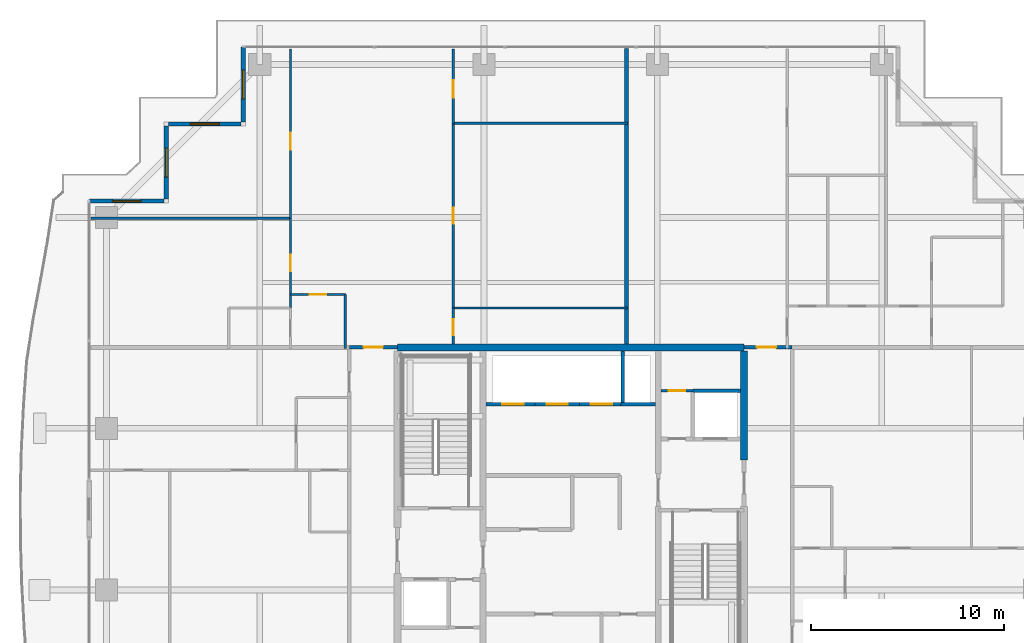
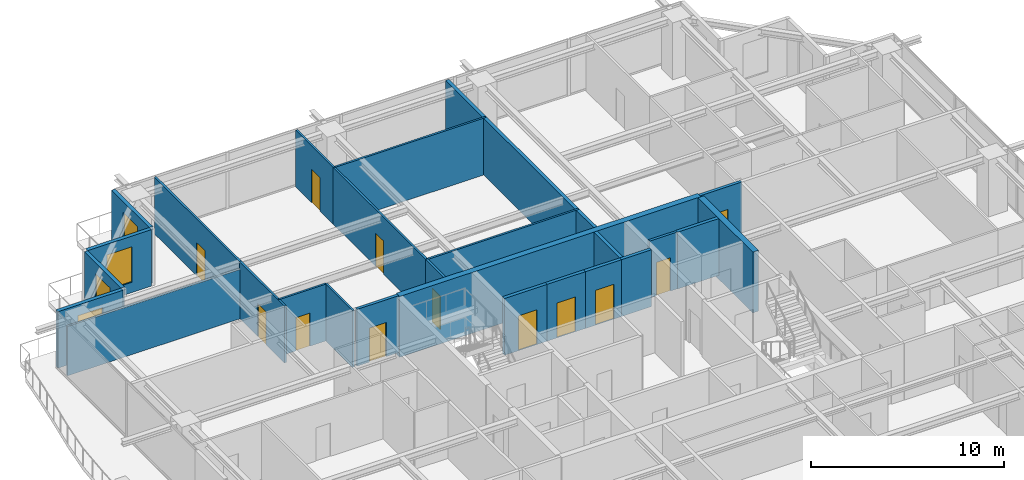
# One storey, part 27 of 35: 26 walls, 12 doors, 4 windows, 16 openings.
"""IFC4 building model written with IfcOpenShell, lengths in metres."""

from ifc_helpers import new_model, si_unit, direction, frame, frame_2d, origin, place, context, subcontext, project, spatial, rectangle, extrude, source, transform, mapped, material, layer, layer_set, type_object, element, fill, save


model = new_model("IFC4")

# Units and contexts
model_context = context("Model", 3, precision=1e-05, world=origin(), true_north=direction((0.0, 1.0)))
body_context = subcontext(model_context, "Body", "Model", "MODEL_VIEW")
ifc_project = project(units=[si_unit("LENGTHUNIT", "METRE"), si_unit("AREAUNIT", "SQUARE_METRE"), si_unit("VOLUMEUNIT", "CUBIC_METRE"), si_unit("PLANEANGLEUNIT", "RADIAN"), si_unit("MASSUNIT", "GRAM", prefix="KILO")], contexts=[model_context])

# Site, building, storey
site_placement = place(None, origin())
site = spatial("IfcSite", under=ifc_project, at=site_placement, CompositionType="ELEMENT")
building_placement = place(site_placement, origin())
building = spatial("IfcBuilding", under=site, at=building_placement, Name="Serunith Strait Residences", CompositionType="ELEMENT")
storey_placement = place(building_placement, frame((0.0, 0.0, 214.300048828125)))
storey = spatial("IfcBuildingStorey", under=building, at=storey_placement, Name="L53", CompositionType="ELEMENT", Elevation=214.300048828125)

# Wall, opening, window
ifc_material_1 = material(Name="Pale-Champagne Aluminium Insulated Panel", Category="aluminium")
ifc_layer_1 = layer(ifc_material_1, 0.219970703125, Name="Pale-Champagne Aluminium Insulated Panel")
ifc_layer_set_1 = layer_set([ifc_layer_1], Name="Pale-Champagne Aluminium Insulated Panel")
wall_type_1 = type_object("IfcWallType", Name="EW-ALUM-220", PredefinedType="ELEMENTEDWALL", material=ifc_layer_set_1)
wall_1_placement = place(storey_placement, frame((15.39990234375, 49.199951171875, 0.0), z_axis=(0.0, 0.0, 1.0), x_axis=(0.0, -1.0, 0.0)))
wall_1 = element("IfcWall", 1, at=wall_1_placement, inside=storey, type_object=wall_type_1, Name="L53 Girih Serrated Corner Wall 12", PredefinedType="ELEMENTEDWALL", context=body_context, shape_type="SweptSolid", body=[
    extrude(rectangle(XDim=3.889892578125, YDim=0.219970703125, at=frame_2d((1.94482421875, 0.0))), origin(), (0.0, 0.0, 1.0), 3.574951171875),
])
opening_1_placement = place(wall_1_placement, frame((1.195068359375, 0.0, 0.64990234375)))
opening_1 = element("IfcOpeningElement", 2, at=opening_1_placement, cuts=wall_1, Name="Opening W-05", PredefinedType="OPENING", context=body_context, shape_type="SweptSolid", body=[
    extrude(rectangle(XDim=1.5, YDim=2.25, at=frame_2d((0.75, 1.125))), frame((0.0, 0.1201171875, 0.0), z_axis=(0.0, -1.0, 0.0), x_axis=(1.0, 0.0, 0.0)), (0.0, 0.0, 1.0), 0.239990234375),
])
ifc_material_2 = material(Name="Ceramic-Fritted Operable Aluminium Window Glass", Category="aluminium")
window_type = type_object("IfcWindowType", Name="WIN-C5", PartitioningType="DOUBLE_PANEL_VERTICAL", PredefinedType="WINDOW", material=ifc_material_2)
shared_shape_1 = source(origin(), body_context, "Body", "SweptSolid", [
    extrude(rectangle(XDim=1.5, YDim=2.25, at=frame_2d((0.75, 1.125))), frame((0.0, 0.030029296875, 0.0), z_axis=(0.0, -1.0, 0.0), x_axis=(1.0, 0.0, 0.0)), (0.0, 0.0, 1.0), 0.06005859375),
])
window_1_placement = place(opening_1_placement, origin())
window_1 = element("IfcWindow", 3, at=window_1_placement, inside=storey, type_object=window_type, Name="L53 Corner Operable Fritted Window 12", OverallHeight=2.25, OverallWidth=1.5, PartitioningType="SINGLE_PANEL", PredefinedType="WINDOW", context=body_context, shape_type="MappedRepresentation", body=[
    mapped(shared_shape_1, transform((0.0, 0.0, 0.0), scale=1.0)),
])
fill(opening_1, window_1)

wall_2_placement = place(storey_placement, frame((15.2900390625, 45.199951171875, 0.0), z_axis=(0.0, 0.0, 1.0), x_axis=(-1.0, 0.0, 0.0)))
wall_2 = element("IfcWall", 4, at=wall_2_placement, inside=storey, type_object=wall_type_1, Name="L53 Girih Serrated Corner Wall 13", PredefinedType="ELEMENTEDWALL", context=body_context, shape_type="SweptSolid", body=[
    extrude(rectangle(XDim=3.780029296875, YDim=0.219970703125, at=frame_2d((1.89013671875, 0.0))), origin(), (0.0, 0.0, 1.0), 3.574951171875),
])
opening_2_placement = place(wall_2_placement, frame((1.139892578125, 0.0, 0.64990234375)))
opening_2 = element("IfcOpeningElement", 5, at=opening_2_placement, cuts=wall_2, Name="Opening W-05", PredefinedType="OPENING", context=body_context, shape_type="SweptSolid", body=[
    extrude(rectangle(XDim=1.5, YDim=2.25, at=frame_2d((0.75, 1.125))), frame((0.0, 0.1201171875, 0.0), z_axis=(0.0, -1.0, 0.0), x_axis=(1.0, 0.0, 0.0)), (0.0, 0.0, 1.0), 0.239990234375),
])
window_2_placement = place(opening_2_placement, origin())
window_2 = element("IfcWindow", 6, at=window_2_placement, inside=storey, type_object=window_type, Name="L53 Corner Operable Fritted Window 13", OverallHeight=2.25, OverallWidth=1.5, PartitioningType="SINGLE_PANEL", PredefinedType="WINDOW", context=body_context, shape_type="MappedRepresentation", body=[
    mapped(shared_shape_1, transform((0.0, 0.0, 0.0), scale=1.0)),
])
fill(opening_2, window_2)

wall_3_placement = place(storey_placement, frame((11.39990234375, 45.090087890625, 0.0), z_axis=(0.0, 0.0, 1.0), x_axis=(0.0, -1.0, 0.0)))
wall_3 = element("IfcWall", 7, at=wall_3_placement, inside=storey, type_object=wall_type_1, Name="L53 Girih Serrated Corner Wall 14", PredefinedType="ELEMENTEDWALL", context=body_context, shape_type="SweptSolid", body=[
    extrude(rectangle(XDim=3.780029296875, YDim=0.219970703125, at=frame_2d((1.89013671875, 0.0))), origin(), (0.0, 0.0, 1.0), 3.574951171875),
])
opening_3_placement = place(wall_3_placement, frame((1.139892578125, 0.0, 0.64990234375)))
opening_3 = element("IfcOpeningElement", 8, at=opening_3_placement, cuts=wall_3, Name="Opening W-05", PredefinedType="OPENING", context=body_context, shape_type="SweptSolid", body=[
    extrude(rectangle(XDim=1.5, YDim=2.25, at=frame_2d((0.75, 1.125))), frame((0.0, 0.1201171875, 0.0), z_axis=(0.0, -1.0, 0.0), x_axis=(1.0, 0.0, 0.0)), (0.0, 0.0, 1.0), 0.239990234375),
])
window_3_placement = place(opening_3_placement, origin())
window_3 = element("IfcWindow", 9, at=window_3_placement, inside=storey, type_object=window_type, Name="L53 Corner Operable Fritted Window 14", OverallHeight=2.25, OverallWidth=1.5, PartitioningType="SINGLE_PANEL", PredefinedType="WINDOW", context=body_context, shape_type="MappedRepresentation", body=[
    mapped(shared_shape_1, transform((0.0, 0.0, 0.0), scale=1.0)),
])
fill(opening_3, window_3)

wall_4_placement = place(storey_placement, frame((11.2900390625, 41.199951171875, 0.0), z_axis=(0.0, 0.0, 1.0), x_axis=(-1.0, 0.0, 0.0)))
wall_4 = element("IfcWall", 10, at=wall_4_placement, inside=storey, type_object=wall_type_1, Name="L53 Girih Serrated Corner Wall 15", PredefinedType="ELEMENTEDWALL", context=body_context, shape_type="SweptSolid", body=[
    extrude(rectangle(XDim=3.89013671875, YDim=0.219970703125, at=frame_2d((1.945068359375, 0.0))), origin(), (0.0, 0.0, 1.0), 3.574951171875),
])
opening_4_placement = place(wall_4_placement, frame((1.195068359375, 0.0, 0.64990234375)))
opening_4 = element("IfcOpeningElement", 11, at=opening_4_placement, cuts=wall_4, Name="Opening W-05", PredefinedType="OPENING", context=body_context, shape_type="SweptSolid", body=[
    extrude(rectangle(XDim=1.5, YDim=2.25, at=frame_2d((0.75, 1.125))), frame((0.0, 0.1201171875, 0.0), z_axis=(0.0, -1.0, 0.0), x_axis=(1.0, 0.0, 0.0)), (0.0, 0.0, 1.0), 0.239990234375),
])
window_4_placement = place(opening_4_placement, origin())
window_4 = element("IfcWindow", 12, at=window_4_placement, inside=storey, type_object=window_type, Name="L53 Corner Operable Fritted Window 15", OverallHeight=2.25, OverallWidth=1.5, PartitioningType="SINGLE_PANEL", PredefinedType="WINDOW", context=body_context, shape_type="MappedRepresentation", body=[
    mapped(shared_shape_1, transform((0.0, 0.0, 0.0), scale=1.0)),
])
fill(opening_4, window_4)

# Wall, opening, door
ifc_material_3 = material(Name="Fire-rated masonry service closet wall", Category="masonry")
ifc_layer_2 = layer(ifc_material_3, 0.14990234375, Name="Fire-rated masonry service closet wall")
ifc_layer_set_2 = layer_set([ifc_layer_2], Name="Fire-rated masonry service closet wall")
wall_type_2 = type_object("IfcWallType", Name="IW-BOH-150", PredefinedType="PARTITIONING", material=ifc_layer_set_2)
wall_5_placement = place(storey_placement, frame((37.10009765625, 31.35009765625, 0.0), z_axis=(0.0, 0.0, 1.0), x_axis=(1.0, 0.0, 0.0)))
wall_5 = element("IfcWall", 13, at=wall_5_placement, inside=storey, type_object=wall_type_2, Name="L53 Partition Wall 012", PredefinedType="PARTITIONING", context=body_context, shape_type="SweptSolid", body=[
    extrude(rectangle(XDim=1.64794921875, YDim=0.14990234375, at=frame_2d((0.823974609375, 0.0))), origin(), (0.0, 0.0, 1.0), 3.58984375),
])
opening_5_placement = place(wall_5_placement, frame((0.39892578125, 0.0, 0.0)))
opening_5 = element("IfcOpeningElement", 14, at=opening_5_placement, cuts=wall_5, Name="Opening FD-850", PredefinedType="OPENING", context=body_context, shape_type="SweptSolid", body=[
    extrude(rectangle(XDim=0.85009765625, YDim=2.10009765625, at=frame_2d((0.425048828125, 1.050048828125))), frame((0.0, 0.0849609375, 0.0), z_axis=(0.0, -1.0, 0.0), x_axis=(1.0, 0.0, 0.0)), (0.0, 0.0, 1.0), 0.169921875),
])
ifc_material_4 = material(Name="Powder-coated steel service closet door", Category="steel")
door_type_1 = type_object("IfcDoorType", Name="FD-BOH-850", OperationType="NOTDEFINED", PredefinedType="DOOR", material=ifc_material_4)
shared_shape_2 = source(origin(), body_context, "Body", "SweptSolid", [
    extrude(rectangle(XDim=0.85009765625, YDim=2.10009765625, at=frame_2d((0.425048828125, 1.050048828125))), frame((0.0, 0.02490234375, 0.0), z_axis=(0.0, -1.0, 0.0), x_axis=(1.0, 0.0, 0.0)), (0.0, 0.0, 1.0), 0.050048828125),
])
door_1_placement = place(opening_5_placement, origin())
door_1 = element("IfcDoor", 15, at=door_1_placement, inside=storey, type_object=door_type_1, Name="L53 Refuse Store Door", OperationType="SINGLE_SWING_RIGHT", OverallHeight=2.10009765625, OverallWidth=0.85009765625, PredefinedType="DOOR", context=body_context, shape_type="MappedRepresentation", body=[
    mapped(shared_shape_2, transform((0.0, 0.0, 0.0), scale=1.0)),
])
fill(opening_5, door_1)

ifc_material_5 = material(Name="Fire-rated acoustic gypsum partition")
ifc_layer_3 = layer(ifc_material_5, 0.179931640625, Name="Fire-rated acoustic gypsum partition")
ifc_layer_set_3 = layer_set([ifc_layer_3], Name="Fire-rated acoustic gypsum partition")
wall_type_3 = type_object("IfcWallType", Name="IW-CORR-180", PredefinedType="PARTITIONING", material=ifc_layer_set_3)
wall_6_placement = place(storey_placement, frame((20.902099609375, 33.60009765625, 0.0), z_axis=(0.0, 0.0, 1.0), x_axis=(1.0, 0.0, 0.0)))
wall_6 = element("IfcWall", 16, at=wall_6_placement, inside=storey, type_object=wall_type_3, Name="L53 Partition Wall 027", PredefinedType="PARTITIONING", context=body_context, shape_type="SweptSolid", body=[
    extrude(rectangle(XDim=2.495849609375, YDim=0.179931640625, at=frame_2d((1.248046875, 0.0))), origin(), (0.0, 0.0, 1.0), 3.58984375),
])
opening_6_placement = place(wall_6_placement, frame((0.748046875, 0.0, 0.0)))
opening_6 = element("IfcOpeningElement", 17, at=opening_6_placement, cuts=wall_6, Name="Opening D-APT1000", PredefinedType="OPENING", context=body_context, shape_type="SweptSolid", body=[
    extrude(rectangle(XDim=1.0, YDim=2.14990234375, at=frame_2d((0.5, 1.074951171875))), frame((0.0, 0.10009765625, 0.0), z_axis=(0.0, -1.0, 0.0), x_axis=(1.0, 0.0, 0.0)), (0.0, 0.0, 1.0), 0.199951171875),
])
ifc_material_6 = material(Name="Solid timber engineered fire door", Category="wood")
door_type_2 = type_object("IfcDoorType", Name="ID-APT-1000", OperationType="NOTDEFINED", PredefinedType="DOOR", material=ifc_material_6)
shared_shape_3 = source(origin(), body_context, "Body", "SweptSolid", [
    extrude(rectangle(XDim=1.0, YDim=2.14990234375, at=frame_2d((0.5, 1.074951171875))), frame((0.0, 0.02490234375, 0.0), z_axis=(0.0, -1.0, 0.0), x_axis=(1.0, 0.0, 0.0)), (0.0, 0.0, 1.0), 0.050048828125),
])
door_2_placement = place(opening_6_placement, origin())
door_2 = element("IfcDoor", 18, at=door_2_placement, inside=storey, type_object=door_type_2, Name="L53 Unit 03 Entrance Door", OperationType="SINGLE_SWING_LEFT", OverallHeight=2.14990234375, OverallWidth=1.0, PredefinedType="DOOR", context=body_context, shape_type="MappedRepresentation", body=[
    mapped(shared_shape_3, transform((0.0, 0.0, 0.0), scale=1.0)),
])
fill(opening_6, door_2)

wall_7_placement = place(storey_placement, frame((41.402099609375, 33.60009765625, 0.0), z_axis=(0.0, 0.0, 1.0), x_axis=(1.0, 0.0, 0.0)))
wall_7 = element("IfcWall", 19, at=wall_7_placement, inside=storey, type_object=wall_type_3, Name="L53 Partition Wall 030", PredefinedType="PARTITIONING", context=body_context, shape_type="SweptSolid", body=[
    extrude(rectangle(XDim=2.495849609375, YDim=0.179931640625, at=frame_2d((1.248046875, 0.0))), origin(), (0.0, 0.0, 1.0), 3.58984375),
])
opening_7_placement = place(wall_7_placement, frame((0.666015625, 0.0, 0.0)))
opening_7 = element("IfcOpeningElement", 20, at=opening_7_placement, cuts=wall_7, Name="Opening D-APT1000", PredefinedType="OPENING", context=body_context, shape_type="SweptSolid", body=[
    extrude(rectangle(XDim=1.0, YDim=2.14990234375, at=frame_2d((0.5, 1.074951171875))), frame((0.0, 0.10009765625, 0.0), z_axis=(0.0, -1.0, 0.0), x_axis=(1.0, 0.0, 0.0)), (0.0, 0.0, 1.0), 0.199951171875),
])
door_3_placement = place(opening_7_placement, origin())
door_3 = element("IfcDoor", 21, at=door_3_placement, inside=storey, type_object=door_type_2, Name="L53 Unit 04 Entrance Door", OperationType="SINGLE_SWING_RIGHT", OverallHeight=2.14990234375, OverallWidth=1.0, PredefinedType="DOOR", context=body_context, shape_type="MappedRepresentation", body=[
    mapped(shared_shape_3, transform((0.0, 0.0, 0.0), scale=1.0)),
])
fill(opening_7, door_3)

ifc_material_7 = material(Name="Lightweight steel-stud gypsum partition", Category="steel")
ifc_layer_4 = layer(ifc_material_7, 0.1201171875, Name="Lightweight steel-stud gypsum partition")
ifc_layer_set_4 = layer_set([ifc_layer_4], Name="Lightweight steel-stud gypsum partition")
wall_type_4 = type_object("IfcWallType", Name="IW-PART-120", PredefinedType="PARTITIONING", material=ifc_layer_set_4)
wall_8_placement = place(storey_placement, frame((17.85009765625, 36.35009765625, 0.0), z_axis=(0.0, 0.0, 1.0), x_axis=(1.0, 0.0, 0.0)))
wall_8 = element("IfcWall", 22, at=wall_8_placement, inside=storey, type_object=wall_type_4, Name="L53 Partition Wall 059", PredefinedType="PARTITIONING", context=body_context, shape_type="SweptSolid", body=[
    extrude(rectangle(XDim=2.849853515625, YDim=0.1201171875, at=frame_2d((1.4248046875, 0.0))), origin(), (0.0, 0.0, 1.0), 3.58984375),
])
opening_8_placement = place(wall_8_placement, frame((1.0, 0.0, 0.0)))
opening_8 = element("IfcOpeningElement", 23, at=opening_8_placement, cuts=wall_8, Name="Opening D-RM850", PredefinedType="OPENING", context=body_context, shape_type="SweptSolid", body=[
    extrude(rectangle(XDim=0.85009765625, YDim=2.10009765625, at=frame_2d((0.425048828125, 1.050048828125))), frame((0.0, 0.070068359375, 0.0), z_axis=(0.0, -1.0, 0.0), x_axis=(1.0, 0.0, 0.0)), (0.0, 0.0, 1.0), 0.14013671875),
])
ifc_material_8 = material(Name="Engineered timber flush study and kitchen door", Category="wood")
door_type_3 = type_object("IfcDoorType", Name="ID-ROOM-850", OperationType="NOTDEFINED", PredefinedType="DOOR", material=ifc_material_8)
door_4_placement = place(opening_8_placement, origin())
door_4 = element("IfcDoor", 24, at=door_4_placement, inside=storey, type_object=door_type_3, Name="L53 Kitchen 5303 Door", OperationType="SINGLE_SWING_RIGHT", OverallHeight=2.10009765625, OverallWidth=0.85009765625, PredefinedType="DOOR", context=body_context, shape_type="MappedRepresentation", body=[
    mapped(shared_shape_2, transform((0.0, 0.0, 0.0), scale=1.0)),
])
fill(opening_8, door_4)

# Wall
wall_9_placement = place(storey_placement, frame((20.699951171875, 36.35009765625, 0.0), z_axis=(0.0, 0.0, 1.0), x_axis=(0.0, -1.0, 0.0)))
element("IfcWall", 25, at=wall_9_placement, inside=storey, type_object=wall_type_4, Name="L53 Partition Wall 060", PredefinedType="PARTITIONING", context=body_context, shape_type="SweptSolid", body=[
    extrude(rectangle(XDim=2.81005859375, YDim=0.1201171875, at=frame_2d((1.405029296875, 0.0))), origin(), (0.0, 0.0, 1.0), 3.58984375),
])

# Wall, opening, door
wall_10_placement = place(storey_placement, frame((17.85009765625, 49.10498046875, 0.0), z_axis=(0.0, 0.0, 1.0), x_axis=(0.0, -1.0, 0.0)))
wall_10 = element("IfcWall", 26, at=wall_10_placement, inside=storey, type_object=wall_type_4, Name="L53 Partition Wall 061", PredefinedType="PARTITIONING", context=body_context, shape_type="SweptSolid", body=[
    extrude(rectangle(XDim=8.799072265625, YDim=0.1201171875, at=frame_2d((4.3994140625, 0.0))), origin(), (0.0, 0.0, 1.0), 3.58984375),
])
opening_9_placement = place(wall_10_placement, frame((4.343994140625, 0.0, 0.0)))
opening_9 = element("IfcOpeningElement", 27, at=opening_9_placement, cuts=wall_10, Name="Opening D-RM900", PredefinedType="OPENING", context=body_context, shape_type="SweptSolid", body=[
    extrude(rectangle(XDim=0.89990234375, YDim=2.10009765625, at=frame_2d((0.449951171875, 1.050048828125))), frame((0.0, 0.070068359375, 0.0), z_axis=(0.0, -1.0, 0.0), x_axis=(1.0, 0.0, 0.0)), (0.0, 0.0, 1.0), 0.14013671875),
])
ifc_material_9 = material(Name="Engineered timber flush bedroom door", Category="wood")
door_type_4 = type_object("IfcDoorType", Name="ID-ROOM-900", OperationType="NOTDEFINED", PredefinedType="DOOR", material=ifc_material_9)
shared_shape_4 = source(origin(), body_context, "Body", "SweptSolid", [
    extrude(rectangle(XDim=0.89990234375, YDim=2.10009765625, at=frame_2d((0.449951171875, 1.050048828125))), frame((0.0, 0.02490234375, 0.0), z_axis=(0.0, -1.0, 0.0), x_axis=(1.0, 0.0, 0.0)), (0.0, 0.0, 1.0), 0.050048828125),
])
door_5_placement = place(opening_9_placement, origin())
door_5 = element("IfcDoor", 28, at=door_5_placement, inside=storey, type_object=door_type_4, Name="L53 Master Bedroom 1 5303 Door", OperationType="SINGLE_SWING_LEFT", OverallHeight=2.10009765625, OverallWidth=0.89990234375, PredefinedType="DOOR", context=body_context, shape_type="MappedRepresentation", body=[
    mapped(shared_shape_4, transform((0.0, 0.0, 0.0), scale=1.0)),
])
fill(opening_9, door_5)

# Wall
wall_11_placement = place(storey_placement, frame((7.4951171875, 40.305908203125, 0.0), z_axis=(0.0, 0.0, 1.0), x_axis=(1.0, 0.0, 0.0)))
element("IfcWall", 29, at=wall_11_placement, inside=storey, type_object=wall_type_4, Name="L53 Partition Wall 062", PredefinedType="PARTITIONING", context=body_context, shape_type="SweptSolid", body=[
    extrude(rectangle(XDim=10.35498046875, YDim=0.1201171875, at=frame_2d((5.177490234375, 0.0))), origin(), (0.0, 0.0, 1.0), 3.1220703125),
])

# Wall, opening, door
wall_12_placement = place(storey_placement, frame((17.85009765625, 40.303955078125, 0.0), z_axis=(0.0, 0.0, 1.0), x_axis=(0.0, -1.0, 0.0)))
wall_12 = element("IfcWall", 30, at=wall_12_placement, inside=storey, type_object=wall_type_4, Name="L53 Partition Wall 065", PredefinedType="PARTITIONING", context=body_context, shape_type="SweptSolid", body=[
    extrude(rectangle(XDim=4.654052734375, YDim=0.1201171875, at=frame_2d((2.3271484375, 0.0))), origin(), (0.0, 0.0, 1.0), 3.58984375),
])
opening_10_placement = place(wall_12_placement, frame((1.902099609375, 0.0, 0.0)))
opening_10 = element("IfcOpeningElement", 31, at=opening_10_placement, cuts=wall_12, Name="Opening D-RM850", PredefinedType="OPENING", context=body_context, shape_type="SweptSolid", body=[
    extrude(rectangle(XDim=0.85009765625, YDim=2.10009765625, at=frame_2d((0.425048828125, 1.050048828125))), frame((0.0, 0.070068359375, 0.0), z_axis=(0.0, -1.0, 0.0), x_axis=(1.0, 0.0, 0.0)), (0.0, 0.0, 1.0), 0.14013671875),
])
door_6_placement = place(opening_10_placement, origin())
door_6 = element("IfcDoor", 32, at=door_6_placement, inside=storey, type_object=door_type_3, Name="L53 Walk-in Wardrobe 5303 Door", OperationType="SINGLE_SWING_RIGHT", OverallHeight=2.10009765625, OverallWidth=0.85009765625, PredefinedType="DOOR", context=body_context, shape_type="MappedRepresentation", body=[
    mapped(shared_shape_2, transform((0.0, 0.0, 0.0), scale=1.0)),
])
fill(opening_10, door_6)

wall_13_placement = place(storey_placement, frame((26.300048828125, 49.10498046875, 0.0), z_axis=(0.0, 0.0, 1.0), x_axis=(0.0, -1.0, 0.0)))
wall_13 = element("IfcWall", 33, at=wall_13_placement, inside=storey, type_object=wall_type_4, Name="L53 Partition Wall 067", PredefinedType="PARTITIONING", context=body_context, shape_type="SweptSolid", body=[
    extrude(rectangle(XDim=3.868896484375, YDim=0.1201171875, at=frame_2d((1.9345703125, 0.0))), origin(), (0.0, 0.0, 1.0), 3.58984375),
])
opening_11_placement = place(wall_13_placement, frame((1.633056640625, 0.0, 0.0)))
opening_11 = element("IfcOpeningElement", 34, at=opening_11_placement, cuts=wall_13, Name="Opening D-RM900", PredefinedType="OPENING", context=body_context, shape_type="SweptSolid", body=[
    extrude(rectangle(XDim=0.89990234375, YDim=2.10009765625, at=frame_2d((0.449951171875, 1.050048828125))), frame((0.0, 0.070068359375, 0.0), z_axis=(0.0, -1.0, 0.0), x_axis=(1.0, 0.0, 0.0)), (0.0, 0.0, 1.0), 0.14013671875),
])
door_7_placement = place(opening_11_placement, origin())
door_7 = element("IfcDoor", 35, at=door_7_placement, inside=storey, type_object=door_type_4, Name="L53 Bedroom 2 5303 Door", OperationType="SINGLE_SWING_RIGHT", OverallHeight=2.10009765625, OverallWidth=0.89990234375, PredefinedType="DOOR", context=body_context, shape_type="MappedRepresentation", body=[
    mapped(shared_shape_4, transform((0.0, 0.0, 0.0), scale=1.0)),
])
fill(opening_11, door_7)

# Walls
for number, where, z_axis, x_axis, name in (
    (36, (26.300048828125, 45.236083984375, 0.0), (0.0, 0.0, 1.0), (1.0, 0.0, 0.0), "L53 Partition Wall 068"),
    (37, (26.300048828125, 35.64990234375, 0.0), (0.0, 0.0, 1.0), (1.0, 0.0, 0.0), "L53 Partition Wall 069"),
):
    element("IfcWall", number, at=place(storey_placement, frame(where, z_axis=z_axis, x_axis=x_axis)), inside=storey, type_object=wall_type_4, Name=name, PredefinedType="PARTITIONING", context=body_context, shape_type="SweptSolid", body=[
        extrude(rectangle(XDim=9.06005859375, YDim=0.1201171875, at=frame_2d((4.530029296875, 0.0))), origin(), (0.0, 0.0, 1.0), 3.58984375),
    ])

# Wall, opening, door
wall_14_placement = place(storey_placement, frame((26.300048828125, 45.23388671875, 0.0), z_axis=(0.0, 0.0, 1.0), x_axis=(0.0, -1.0, 0.0)))
wall_14 = element("IfcWall", 38, at=wall_14_placement, inside=storey, type_object=wall_type_4, Name="L53 Partition Wall 070", PredefinedType="PARTITIONING", context=body_context, shape_type="SweptSolid", body=[
    extrude(rectangle(XDim=9.583984375, YDim=0.1201171875, at=frame_2d((4.7919921875, 0.0))), origin(), (0.0, 0.0, 1.0), 3.58984375),
])
opening_12_placement = place(wall_14_placement, frame((4.366943359375, 0.0, 0.0)))
opening_12 = element("IfcOpeningElement", 39, at=opening_12_placement, cuts=wall_14, Name="Opening D-RM850", PredefinedType="OPENING", context=body_context, shape_type="SweptSolid", body=[
    extrude(rectangle(XDim=0.85009765625, YDim=2.10009765625, at=frame_2d((0.425048828125, 1.050048828125))), frame((0.0, 0.070068359375, 0.0), z_axis=(0.0, -1.0, 0.0), x_axis=(1.0, 0.0, 0.0)), (0.0, 0.0, 1.0), 0.14013671875),
])
door_8_placement = place(opening_12_placement, origin())
door_8 = element("IfcDoor", 40, at=door_8_placement, inside=storey, type_object=door_type_3, Name="L53 Walk-in Wardrobe 5303 Door", OperationType="SINGLE_SWING_LEFT", OverallHeight=2.10009765625, OverallWidth=0.85009765625, PredefinedType="DOOR", context=body_context, shape_type="MappedRepresentation", body=[
    mapped(shared_shape_2, transform((0.0, 0.0, 0.0), scale=1.0)),
])
fill(opening_12, door_8)

wall_15_placement = place(storey_placement, frame((26.300048828125, 35.64794921875, 0.0), z_axis=(0.0, 0.0, 1.0), x_axis=(0.0, -1.0, 0.0)))
wall_15 = element("IfcWall", 41, at=wall_15_placement, inside=storey, type_object=wall_type_4, Name="L53 Partition Wall 071", PredefinedType="PARTITIONING", context=body_context, shape_type="SweptSolid", body=[
    extrude(rectangle(XDim=1.873046875, YDim=0.1201171875, at=frame_2d((0.9365234375, 0.0))), origin(), (0.0, 0.0, 1.0), 3.58984375),
])
opening_13_placement = place(wall_15_placement, frame((0.574951171875, 0.0, 0.0)))
opening_13 = element("IfcOpeningElement", 42, at=opening_13_placement, cuts=wall_15, Name="Opening D-BTH850", PredefinedType="OPENING", context=body_context, shape_type="SweptSolid", body=[
    extrude(rectangle(XDim=0.85009765625, YDim=2.10009765625, at=frame_2d((0.425048828125, 1.050048828125))), frame((0.0, 0.070068359375, 0.0), z_axis=(0.0, -1.0, 0.0), x_axis=(1.0, 0.0, 0.0)), (0.0, 0.0, 1.0), 0.14013671875),
])
ifc_material_10 = material(Name="Moisture-resistant timber bathroom door", Category="wood")
door_type_5 = type_object("IfcDoorType", Name="ID-BATH-850", OperationType="NOTDEFINED", PredefinedType="DOOR", material=ifc_material_10)
door_9_placement = place(opening_13_placement, origin())
door_9 = element("IfcDoor", 43, at=door_9_placement, inside=storey, type_object=door_type_5, Name="L53 Bathroom 5303 Door", OperationType="SINGLE_SWING_RIGHT", OverallHeight=2.10009765625, OverallWidth=0.85009765625, PredefinedType="DOOR", context=body_context, shape_type="MappedRepresentation", body=[
    mapped(shared_shape_2, transform((0.0, 0.0, 0.0), scale=1.0)),
])
fill(opening_13, door_9)

# Wall
ifc_material_11 = material(Name="Twin-stud acoustic gypsum board partition")
ifc_layer_5 = layer(ifc_material_11, 0.199951171875, Name="Twin-stud acoustic gypsum board partition")
ifc_layer_set_5 = layer_set([ifc_layer_5], Name="Twin-stud acoustic gypsum board partition")
wall_type_5 = type_object("IfcWallType", Name="IW-PARTY-200", PredefinedType="PARTITIONING", material=ifc_layer_set_5)
wall_16_placement = place(storey_placement, frame((35.300048828125, 33.77490234375, 0.0), z_axis=(0.0, 0.0, 1.0), x_axis=(0.0, 1.0, 0.0)))
element("IfcWall", 44, at=wall_16_placement, inside=storey, type_object=wall_type_5, Name="L53 Partition Wall 021", PredefinedType="PARTITIONING", context=body_context, shape_type="SweptSolid", body=[
    extrude(rectangle(XDim=15.343017578125, YDim=0.199951171875, at=frame_2d((7.67138671875, 0.0))), origin(), (0.0, 0.0, 1.0), 3.58984375),
])

# Wall, opening, door
ifc_material_12 = material(Name="Autoclaved aerated concrete blockwork", Category="masonry")
ifc_layer_6 = layer(ifc_material_12, 0.199951171875, Name="Autoclaved aerated concrete blockwork")
ifc_layer_set_6 = layer_set([ifc_layer_6], Name="Autoclaved aerated concrete blockwork")
wall_type_6 = type_object("IfcWallType", Name="IW-SHAFT-200", PredefinedType="STANDARD", material=ifc_layer_set_6)
wall_17_placement = place(storey_placement, frame((28.0, 30.64990234375, 0.0), z_axis=(0.0, 0.0, 1.0), x_axis=(1.0, 0.0, 0.0)))
wall_17 = element("IfcWall", 45, at=wall_17_placement, inside=storey, type_object=wall_type_6, Name="L53 PL-7 South Shaft Wall", PredefinedType="STANDARD", context=body_context, shape_type="SweptSolid", body=[
    extrude(rectangle(XDim=2.550048828125, YDim=0.199951171875, at=frame_2d((1.27490234375, 0.0))), origin(), (0.0, 0.0, 1.0), 3.58984375),
])
opening_14_placement = place(wall_17_placement, frame((0.85009765625, 0.0, 0.0)))
opening_14 = element("IfcOpeningElement", 46, at=opening_14_placement, cuts=wall_17, Name="Opening LD-1100", PredefinedType="OPENING", context=body_context, shape_type="SweptSolid", body=[
    extrude(rectangle(XDim=1.10009765625, YDim=2.199951171875, at=frame_2d((0.550048828125, 1.10009765625))), frame((0.0, 0.10986328125, 0.0), z_axis=(0.0, -1.0, 0.0), x_axis=(1.0, 0.0, 0.0)), (0.0, 0.0, 1.0), 0.219970703125),
])
ifc_material_13 = material(Name="Pale-champagne stainless landing door")
door_type_6 = type_object("IfcDoorType", Name="LD-LIFT-1100", OperationType="DOUBLE_DOOR_SLIDING", PredefinedType="DOOR", material=ifc_material_13)
shared_shape_5 = source(origin(), body_context, "Body", "SweptSolid", [
    extrude(rectangle(XDim=1.10009765625, YDim=2.199951171875, at=frame_2d((0.550048828125, 1.10009765625))), frame((0.0, 0.02490234375, 0.0), z_axis=(0.0, -1.0, 0.0), x_axis=(1.0, 0.0, 0.0)), (0.0, 0.0, 1.0), 0.050048828125),
])
door_10_placement = place(opening_14_placement, origin())
door_10 = element("IfcDoor", 47, at=door_10_placement, inside=storey, type_object=door_type_6, Name="L53 PL-7 Landing Door", OperationType="DOUBLE_DOOR_SLIDING", OverallHeight=2.199951171875, OverallWidth=1.10009765625, PredefinedType="DOOR", context=body_context, shape_type="MappedRepresentation", body=[
    mapped(shared_shape_5, transform((0.0, 0.0, 0.0), scale=1.0)),
])
fill(opening_14, door_10)

wall_18_placement = place(storey_placement, frame((30.550048828125, 30.64990234375, 0.0), z_axis=(0.0, 0.0, 1.0), x_axis=(1.0, 0.0, 0.0)))
wall_18 = element("IfcWall", 48, at=wall_18_placement, inside=storey, type_object=wall_type_6, Name="L53 PL-8 South Shaft Wall", PredefinedType="STANDARD", context=body_context, shape_type="SweptSolid", body=[
    extrude(rectangle(XDim=2.300048828125, YDim=0.199951171875, at=frame_2d((1.14990234375, 0.0))), origin(), (0.0, 0.0, 1.0), 3.58984375),
])
opening_15_placement = place(wall_18_placement, frame((0.60009765625, 0.0, 0.0)))
opening_15 = element("IfcOpeningElement", 49, at=opening_15_placement, cuts=wall_18, Name="Opening LD-1100", PredefinedType="OPENING", context=body_context, shape_type="SweptSolid", body=[
    extrude(rectangle(XDim=1.10009765625, YDim=2.199951171875, at=frame_2d((0.550048828125, 1.10009765625))), frame((0.0, 0.10986328125, 0.0), z_axis=(0.0, -1.0, 0.0), x_axis=(1.0, 0.0, 0.0)), (0.0, 0.0, 1.0), 0.219970703125),
])
door_11_placement = place(opening_15_placement, origin())
door_11 = element("IfcDoor", 50, at=door_11_placement, inside=storey, type_object=door_type_6, Name="L53 PL-8 Landing Door", OperationType="DOUBLE_DOOR_SLIDING", OverallHeight=2.199951171875, OverallWidth=1.10009765625, PredefinedType="DOOR", context=body_context, shape_type="MappedRepresentation", body=[
    mapped(shared_shape_5, transform((0.0, 0.0, 0.0), scale=1.0)),
])
fill(opening_15, door_11)

wall_19_placement = place(storey_placement, frame((32.85009765625, 30.64990234375, 0.0), z_axis=(0.0, 0.0, 1.0), x_axis=(1.0, 0.0, 0.0)))
wall_19 = element("IfcWall", 51, at=wall_19_placement, inside=storey, type_object=wall_type_6, Name="L53 PL-9 South Shaft Wall", PredefinedType="STANDARD", context=body_context, shape_type="SweptSolid", body=[
    extrude(rectangle(XDim=2.14990234375, YDim=0.199951171875, at=frame_2d((1.074951171875, 0.0))), origin(), (0.0, 0.0, 1.0), 3.58984375),
])
opening_16_placement = place(wall_19_placement, frame((0.60009765625, 0.0, 0.0)))
opening_16 = element("IfcOpeningElement", 52, at=opening_16_placement, cuts=wall_19, Name="Opening LD-1100", PredefinedType="OPENING", context=body_context, shape_type="SweptSolid", body=[
    extrude(rectangle(XDim=1.10009765625, YDim=2.199951171875, at=frame_2d((0.550048828125, 1.10009765625))), frame((0.0, 0.10986328125, 0.0), z_axis=(0.0, -1.0, 0.0), x_axis=(1.0, 0.0, 0.0)), (0.0, 0.0, 1.0), 0.219970703125),
])
door_12_placement = place(opening_16_placement, origin())
door_12 = element("IfcDoor", 53, at=door_12_placement, inside=storey, type_object=door_type_6, Name="L53 PL-9 Landing Door", OperationType="DOUBLE_DOOR_SLIDING", OverallHeight=2.199951171875, OverallWidth=1.10009765625, PredefinedType="DOOR", context=body_context, shape_type="MappedRepresentation", body=[
    mapped(shared_shape_5, transform((0.0, 0.0, 0.0), scale=1.0)),
])
fill(opening_16, door_12)

# Walls
wall_20_placement = place(storey_placement, frame((35.0, 30.64990234375, 0.0), z_axis=(0.0, 0.0, 1.0), x_axis=(1.0, 0.0, 0.0)))
element("IfcWall", 54, at=wall_20_placement, inside=storey, type_object=wall_type_6, Name="L53 SL-1 South Shaft Wall", PredefinedType="STANDARD", context=body_context, shape_type="SweptSolid", body=[
    extrude(rectangle(XDim=1.800048828125, YDim=0.199951171875, at=frame_2d((0.89990234375, 0.0))), origin(), (0.0, 0.0, 1.0), 3.58984375),
])
wall_21_placement = place(storey_placement, frame((35.10009765625, 30.75, 0.0), z_axis=(0.0, 0.0, 1.0), x_axis=(0.0, 1.0, 0.0)))
element("IfcWall", 55, at=wall_21_placement, inside=storey, type_object=wall_type_6, Name="L53 SL-1 West Shaft Wall", PredefinedType="STANDARD", context=body_context, shape_type="SweptSolid", body=[
    extrude(rectangle(XDim=2.675048828125, YDim=0.199951171875, at=frame_2d((1.33740234375, 0.0))), origin(), (0.0, 0.0, 1.0), 3.58984375),
])
wall_22_placement = place(storey_placement, frame((38.75, 31.35009765625, 0.0), z_axis=(0.0, 0.0, 1.0), x_axis=(1.0, 0.0, 0.0)))
element("IfcWall", 56, at=wall_22_placement, inside=storey, type_object=wall_type_6, Name="L53 Partition Wall 005", PredefinedType="STANDARD", context=body_context, shape_type="SweptSolid", body=[
    extrude(rectangle(XDim=2.47509765625, YDim=0.199951171875, at=frame_2d((1.237548828125, 0.0))), origin(), (0.0, 0.0, 1.0), 3.58984375),
])
ifc_material_14 = material(Name="Concrete C60/75", Category="concrete")
ifc_layer_7 = layer(ifc_material_14, 0.35009765625, Name="Concrete C60/75")
ifc_layer_set_7 = layer_set([ifc_layer_7], Name="Concrete C60/75")
wall_type_7 = type_object("IfcWallType", Name="SW-350-C60", PredefinedType="SHEAR", material=ifc_layer_set_7)
wall_23_placement = place(storey_placement, frame((41.39990234375, 33.60009765625, -0.260009765625), z_axis=(0.0, 0.0, 1.0), x_axis=(-1.0, 0.0, 0.0)))
element("IfcWall", 57, at=wall_23_placement, inside=storey, type_object=wall_type_7, Name="L53 Core North Shear Wall", PredefinedType="SHEAR", context=body_context, shape_type="SweptSolid", body=[
    extrude(rectangle(XDim=18.0, YDim=0.35009765625, at=frame_2d((9.0, 0.0))), origin(), (0.0, 0.0, 1.0), 3.847900390625),
])
wall_24_placement = place(storey_placement, frame((41.39990234375, 27.75, -0.260009765625), z_axis=(0.0, 0.0, 1.0), x_axis=(0.0, 1.0, 0.0)))
element("IfcWall", 58, at=wall_24_placement, inside=storey, type_object=wall_type_7, Name="L53 Core East Shear Wall North Pier", PredefinedType="SHEAR", context=body_context, shape_type="SweptSolid", body=[
    extrude(rectangle(XDim=5.675048828125, YDim=0.35009765625, at=frame_2d((2.83740234375, 0.0))), origin(), (0.0, 0.0, 1.0), 3.847900390625),
])

save(model, "model.ifc")
